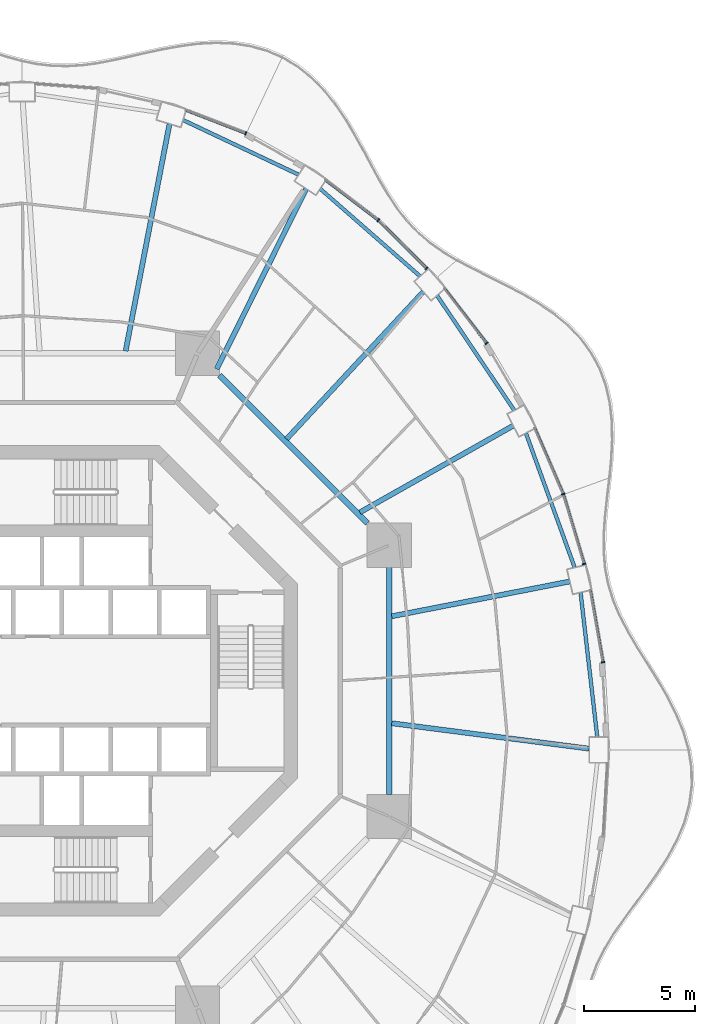
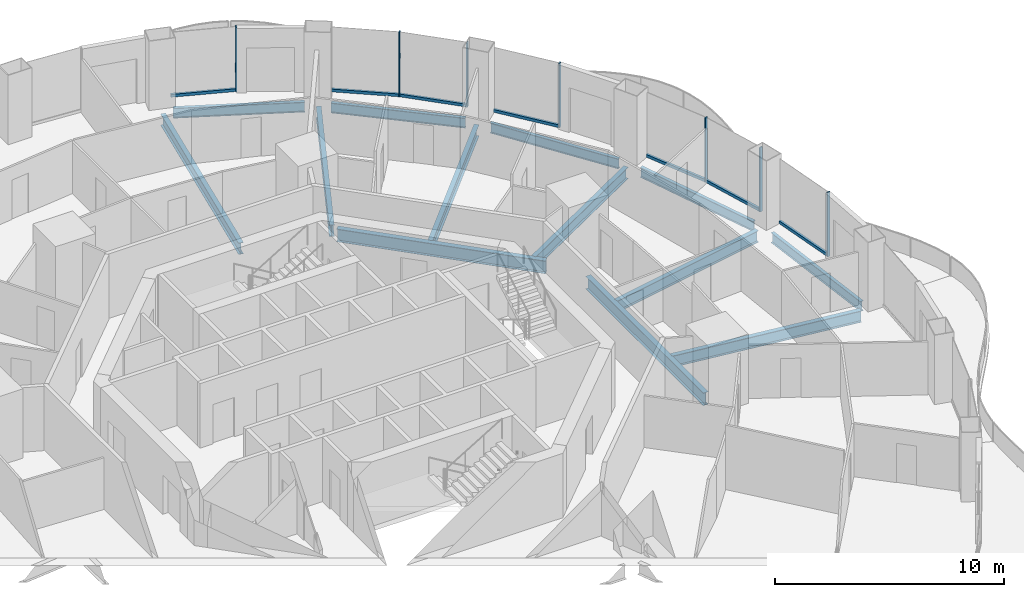
# One storey, part 8 of 19: 14 members, 13 beams, 7 elements without a shape of their own.
"""IFC4 building model written with IfcOpenShell, lengths in metres."""

from ifc_helpers import new_model, si_unit, direction, frame, origin, origin_2d, place, context, subcontext, project, spatial, rectangle, i_section, extrude, material, layer, layer_set, material_profile, profile_set, type_object, element, aggregate, save


model = new_model("IFC4")

# Units and contexts
model_context = context("Model", 3, precision=1e-05, world=origin(), true_north=direction((0.0, 1.0)))
body_context = subcontext(model_context, "Body", "Model", "MODEL_VIEW")
ifc_project = project(units=[si_unit("LENGTHUNIT", "METRE"), si_unit("AREAUNIT", "SQUARE_METRE"), si_unit("VOLUMEUNIT", "CUBIC_METRE"), si_unit("PLANEANGLEUNIT", "RADIAN"), si_unit("MASSUNIT", "GRAM", prefix="KILO")], contexts=[model_context])

# Site, building, storey
site_placement = place(None, origin())
site = spatial("IfcSite", under=ifc_project, at=site_placement, CompositionType="ELEMENT")
building_placement = place(site_placement, origin())
building = spatial("IfcBuilding", under=site, at=building_placement, Name="Nagisa Residences", CompositionType="ELEMENT")
storey_placement = place(building_placement, frame((0.0, 0.0, 127.0)))
storey = spatial("IfcBuildingStorey", under=building, at=storey_placement, Name="L31", CompositionType="ELEMENT", Elevation=127.0)

# Curtain wall, member
ifc_material_1 = material(Name="Concrete-coloured aluminium curtain wall system", Category="concrete")
ifc_layer = layer(ifc_material_1, 0.159912109375)
ifc_layer_set = layer_set([ifc_layer], Name="CW1 CURTAIN WALL")
curtain_wall_type = type_object("IfcCurtainWallType", Name="CW1 CURTAIN WALL", PredefinedType="NOTDEFINED", material=ifc_layer_set)
curtain_wall_1_placement = place(storey_placement, origin())
curtain_wall_1 = element("IfcCurtainWall", 1, at=curtain_wall_1_placement, inside=storey, type_object=curtain_wall_type, Name="cw:CW1:L31:01", PredefinedType="NOTDEFINED")
ifc_material_2 = material(Name="Concrete-coloured aluminium", Category="concrete")
ifc_material_profile_1 = material_profile(ifc_material_2, rectangle(XDim=0.159912109375, YDim=0.06005859375, at=origin_2d()), Name="CW1 MULLION 160x60")
ifc_profile_set_1 = profile_set([ifc_material_profile_1], Name="Concrete-coloured aluminium")
member_type_1 = type_object("IfcMemberType", Name="CW1 MULLION 160x60", PredefinedType="MULLION", material=ifc_profile_set_1)
member_1_placement = place(storey_placement, frame((24.424072265625, 0.83935546875, 0.0), z_axis=(0.0, 0.0, 1.0), x_axis=(-0.985063604377, -0.172190868898, 0.0)))
member_1 = element("IfcMember", 2, at=member_1_placement, type_object=member_type_1, Name="CW1 mullion", PredefinedType="MULLION", context=body_context, shape_type="SweptSolid", body=[
    extrude(rectangle(XDim=0.159912109375, YDim=0.06005859375, at=origin_2d()), origin(), (0.0, 0.0, 1.0), 3.43994140625),
])

curtain_wall_2_placement = place(storey_placement, origin())
curtain_wall_2 = element("IfcCurtainWall", 3, at=curtain_wall_2_placement, inside=storey, type_object=curtain_wall_type, Name="cw:CW1:L31:02", PredefinedType="NOTDEFINED")
member_2_placement = place(storey_placement, frame((23.573974609375, 5.278076171875, 0.0), z_axis=(0.0, 0.0, 1.0), x_axis=(-0.958271310082, -0.285860274038, 0.0)))
member_2 = element("IfcMember", 4, at=member_2_placement, type_object=member_type_1, Name="CW1 mullion", PredefinedType="MULLION", context=body_context, shape_type="SweptSolid", body=[
    extrude(rectangle(XDim=0.159912109375, YDim=0.06005859375, at=origin_2d()), origin(), (0.0, 0.0, 1.0), 3.43994140625),
])

curtain_wall_3_placement = place(storey_placement, origin())
curtain_wall_3 = element("IfcCurtainWall", 5, at=curtain_wall_3_placement, inside=storey, type_object=curtain_wall_type, Name="cw:CW1:L31:03", PredefinedType="NOTDEFINED")
member_3_placement = place(storey_placement, frame((22.6298828125, 8.43310546875, 0.0), z_axis=(0.0, 0.0, 1.0), x_axis=(-0.917543276295, -0.397635934147, 0.0)))
member_3 = element("IfcMember", 6, at=member_3_placement, type_object=member_type_1, Name="CW1 mullion", PredefinedType="MULLION", context=body_context, shape_type="SweptSolid", body=[
    extrude(rectangle(XDim=0.159912109375, YDim=0.06005859375, at=origin_2d()), origin(), (0.0, 0.0, 1.0), 3.43994140625),
])

curtain_wall_4_placement = place(storey_placement, origin())
curtain_wall_4 = element("IfcCurtainWall", 7, at=curtain_wall_4_placement, inside=storey, type_object=curtain_wall_type, Name="cw:CW1:L31:05", PredefinedType="NOTDEFINED")
member_4_placement = place(storey_placement, frame((19.169921875, 15.23876953125, 0.0), z_axis=(0.0, 0.0, 1.0), x_axis=(-0.792070340816, -0.610429828235, 0.0)))
member_4 = element("IfcMember", 8, at=member_4_placement, type_object=member_type_1, Name="CW1 mullion", PredefinedType="MULLION", context=body_context, shape_type="SweptSolid", body=[
    extrude(rectangle(XDim=0.159912109375, YDim=0.06005859375, at=origin_2d()), origin(), (0.0, 0.0, 1.0), 3.43994140625),
])

curtain_wall_5_placement = place(storey_placement, origin())
curtain_wall_5 = element("IfcCurtainWall", 9, at=curtain_wall_5_placement, inside=storey, type_object=curtain_wall_type, Name="cw:CW1:L31:06", PredefinedType="NOTDEFINED")
member_5_placement = place(storey_placement, frame((16.460693359375, 18.621826171875, 0.0), z_axis=(0.0, 0.0, 1.0), x_axis=(-0.706376885714, -0.707835924016, 0.0)))
member_5 = element("IfcMember", 10, at=member_5_placement, type_object=member_type_1, Name="CW1 mullion", PredefinedType="MULLION", context=body_context, shape_type="SweptSolid", body=[
    extrude(rectangle(XDim=0.159912109375, YDim=0.06005859375, at=origin_2d()), origin(), (0.0, 0.0, 1.0), 3.43994140625),
])

curtain_wall_6_placement = place(storey_placement, origin())
curtain_wall_6 = element("IfcCurtainWall", 11, at=curtain_wall_6_placement, inside=storey, type_object=curtain_wall_type, Name="cw:CW1:L31:07", PredefinedType="NOTDEFINED")
member_6_placement = place(storey_placement, frame((14.28125, 20.7919921875, 0.0), z_axis=(0.0, 0.0, 1.0), x_axis=(-0.605255421737, -0.79603132756, 0.0)))
member_6 = element("IfcMember", 12, at=member_6_placement, type_object=member_type_1, Name="CW1 mullion", PredefinedType="MULLION", context=body_context, shape_type="SweptSolid", body=[
    extrude(rectangle(XDim=0.159912109375, YDim=0.06005859375, at=origin_2d()), origin(), (0.0, 0.0, 1.0), 3.43994140625),
])

curtain_wall_7_placement = place(storey_placement, origin())
curtain_wall_7 = element("IfcCurtainWall", 13, at=curtain_wall_7_placement, inside=storey, type_object=curtain_wall_type, Name="cw:CW1:L31:09", PredefinedType="NOTDEFINED")
member_7_placement = place(storey_placement, frame((8.297607421875, 24.715087890625, 0.0), z_axis=(0.0, 0.0, 1.0), x_axis=(-0.360327770268, -0.932825759707, 0.0)))
member_7 = element("IfcMember", 14, at=member_7_placement, type_object=member_type_1, Name="CW1 mullion", PredefinedType="MULLION", context=body_context, shape_type="SweptSolid", body=[
    extrude(rectangle(XDim=0.159912109375, YDim=0.06005859375, at=origin_2d()), origin(), (0.0, 0.0, 1.0), 3.43994140625),
])

# Member
ifc_material_3 = material(Name="Concrete-coloured aluminium", Category="concrete")
ifc_material_profile_2 = material_profile(ifc_material_3, rectangle(XDim=0.1201171875, YDim=0.14990234375, at=origin_2d()), Name="CW1 TRANSOM 120x150")
ifc_profile_set_2 = profile_set([ifc_material_profile_2], Name="Concrete-coloured aluminium")
member_type_2 = type_object("IfcMemberType", Name="CW1 TRANSOM 120x150", PredefinedType="USERDEFINED", material=ifc_profile_set_2)
member_8_placement = place(storey_placement, frame((24.42919921875, 0.809814453125, 0.074951171875), z_axis=(-0.172163521006, 0.985068384446, 0.0), x_axis=(-0.985068384446, -0.172163521006, 0.0)))
member_8 = element("IfcMember", 15, at=member_8_placement, type_object=member_type_2, Name="CW1 transom", ObjectType="TRANSOM", PredefinedType="USERDEFINED", context=body_context, shape_type="SweptSolid", body=[
    extrude(rectangle(XDim=0.1201171875, YDim=0.14990234375, at=origin_2d()), origin(), (0.0, 0.0, 1.0), 3.33251953125),
])

aggregate(curtain_wall_1, [member_1, member_8])

member_9_placement = place(storey_placement, frame((23.582763671875, 5.24951171875, 0.074951171875), z_axis=(-0.285909915381, 0.958256500258, 0.0), x_axis=(-0.958256500258, -0.285909915381, 0.0)))
member_9 = element("IfcMember", 16, at=member_9_placement, type_object=member_type_2, Name="CW1 transom", ObjectType="TRANSOM", PredefinedType="USERDEFINED", context=body_context, shape_type="SweptSolid", body=[
    extrude(rectangle(XDim=0.1201171875, YDim=0.14990234375, at=origin_2d()), origin(), (0.0, 0.0, 1.0), 3.302978515625),
])

aggregate(curtain_wall_2, [member_2, member_9])

member_10_placement = place(storey_placement, frame((22.641845703125, 8.405517578125, 0.074951171875), z_axis=(-0.397638954585, 0.917541967321, 0.0), x_axis=(-0.917541967321, -0.397638954585, 0.0)))
member_10 = element("IfcMember", 17, at=member_10_placement, type_object=member_type_2, Name="CW1 transom", ObjectType="TRANSOM", PredefinedType="USERDEFINED", context=body_context, shape_type="SweptSolid", body=[
    extrude(rectangle(XDim=0.1201171875, YDim=0.14990234375, at=origin_2d()), origin(), (0.0, 0.0, 1.0), 3.2607421875),
])

aggregate(curtain_wall_3, [member_3, member_10])

member_11_placement = place(storey_placement, frame((19.188232421875, 15.215087890625, 0.074951171875), z_axis=(-0.610467332273, 0.792041435928, 0.0), x_axis=(-0.792041435928, -0.610467332273, 0.0)))
member_11 = element("IfcMember", 18, at=member_11_placement, type_object=member_type_2, Name="CW1 transom", ObjectType="TRANSOM", PredefinedType="USERDEFINED", context=body_context, shape_type="SweptSolid", body=[
    extrude(rectangle(XDim=0.1201171875, YDim=0.14990234375, at=origin_2d()), origin(), (0.0, 0.0, 1.0), 3.14892578125),
])

aggregate(curtain_wall_4, [member_4, member_11])

member_12_placement = place(storey_placement, frame((16.48193359375, 18.6005859375, 0.074951171875), z_axis=(-0.707857739375, 0.706355024621, 0.0), x_axis=(-0.706355024621, -0.707857739375, 0.0)))
member_12 = element("IfcMember", 19, at=member_12_placement, type_object=member_type_2, Name="CW1 transom", ObjectType="TRANSOM", PredefinedType="USERDEFINED", context=body_context, shape_type="SweptSolid", body=[
    extrude(rectangle(XDim=0.1201171875, YDim=0.14990234375, at=origin_2d()), origin(), (0.0, 0.0, 1.0), 3.0869140625),
])

aggregate(curtain_wall_5, [member_5, member_12])

member_13_placement = place(storey_placement, frame((14.30517578125, 20.77392578125, 0.074951171875), z_axis=(-0.796022231079, 0.605267385233, 0.0), x_axis=(-0.605267385233, -0.796022231079, 0.0)))
member_13 = element("IfcMember", 20, at=member_13_placement, type_object=member_type_2, Name="CW1 transom", ObjectType="TRANSOM", PredefinedType="USERDEFINED", context=body_context, shape_type="SweptSolid", body=[
    extrude(rectangle(XDim=0.1201171875, YDim=0.14990234375, at=origin_2d()), origin(), (0.0, 0.0, 1.0), 3.025634765625),
])

aggregate(curtain_wall_6, [member_6, member_13])

member_14_placement = place(storey_placement, frame((8.32568359375, 24.704345703125, 0.074951171875), z_axis=(-0.932845344347, 0.360277064952, 0.0), x_axis=(-0.360277064952, -0.932845344347, 0.0)))
member_14 = element("IfcMember", 21, at=member_14_placement, type_object=member_type_2, Name="CW1 transom", ObjectType="TRANSOM", PredefinedType="USERDEFINED", context=body_context, shape_type="SweptSolid", body=[
    extrude(rectangle(XDim=0.1201171875, YDim=0.14990234375, at=origin_2d()), origin(), (0.0, 0.0, 1.0), 2.92333984375),
])

aggregate(curtain_wall_7, [member_7, member_14])

# Beams
ifc_material_4 = material(Name="Steel ASTM A572 Gr 50", Category="steel")
ifc_material_profile_3 = material_profile(ifc_material_4, i_section(OverallWidth=0.25390625, OverallDepth=0.68408203125, WebThickness=0.012451171875, FlangeThickness=0.018798828125, at=origin_2d()), Name="W690x140")
ifc_profile_set_3 = profile_set([ifc_material_profile_3], Name="Steel ASTM A572 Gr 50")
beam_type_1 = type_object("IfcBeamType", Name="Inner ring beam W690x140", PredefinedType="BEAM", material=ifc_profile_set_3)
beam_1_placement = place(storey_placement, frame((13.796142578125, 7.10888671875, -0.60205078125), z_axis=(-0.707106781187, 0.707106781187, 0.0), x_axis=(-0.707106781187, -0.707106781187, 0.0)))
element("IfcBeam", 22, at=beam_1_placement, inside=storey, type_object=beam_type_1, Name="beam:L31:ib1", PredefinedType="BEAM", context=body_context, shape_type="SweptSolid", body=[
    extrude(i_section(OverallWidth=0.25390625, OverallDepth=0.68408203125, WebThickness=0.012451171875, FlangeThickness=0.018798828125, at=origin_2d()), origin(), (0.0, 0.0, 1.0), 9.457275390625),
])
beam_2_placement = place(storey_placement, frame((14.781982421875, -5.142822265625, -0.60205078125), z_axis=(0.0, 1.0, 0.0), x_axis=(-1.0, 0.0, 0.0)))
element("IfcBeam", 23, at=beam_2_placement, inside=storey, type_object=beam_type_1, Name="beam:L31:ib8", PredefinedType="BEAM", context=body_context, shape_type="SweptSolid", body=[
    extrude(i_section(OverallWidth=0.25390625, OverallDepth=0.68408203125, WebThickness=0.012451171875, FlangeThickness=0.018798828125, at=origin_2d()), origin(), (0.0, 0.0, 1.0), 10.28564453125),
])
ifc_material_5 = material(Name="Steel ASTM A572 Gr 50", Category="steel")
ifc_material_profile_4 = material_profile(ifc_material_5, i_section(OverallWidth=0.166015625, OverallDepth=0.534912109375, WebThickness=0.01025390625, FlangeThickness=0.0166015625, at=origin_2d()), Name="W530x85")
ifc_profile_set_4 = profile_set([ifc_material_profile_4], Name="Steel ASTM A572 Gr 50")
beam_type_2 = type_object("IfcBeamType", Name="Perimeter ring beam W530x85", PredefinedType="BEAM", material=ifc_profile_set_4)
beam_3_placement = place(storey_placement, frame((24.16796875, -2.53759765625, -0.527587890625), z_axis=(-0.114660786771, 0.993404703017, 0.0), x_axis=(-0.993404703017, -0.114660786771, 0.0)))
element("IfcBeam", 24, at=beam_3_placement, inside=storey, type_object=beam_type_2, Name="beam:L31:pb01", PredefinedType="BEAM", context=body_context, shape_type="SweptSolid", body=[
    extrude(i_section(OverallWidth=0.166015625, OverallDepth=0.534912109375, WebThickness=0.01025390625, FlangeThickness=0.0166015625, at=origin_2d()), origin(), (0.0, 0.0, 1.0), 6.568603515625),
])
beam_4_placement = place(storey_placement, frame((23.1484375, 5.116943359375, -0.527587890625), z_axis=(-0.341332802315, 0.93994250785, 0.0), x_axis=(-0.93994250785, -0.341332802315, 0.0)))
element("IfcBeam", 25, at=beam_4_placement, inside=storey, type_object=beam_type_2, Name="beam:L31:pb02", PredefinedType="BEAM", context=body_context, shape_type="SweptSolid", body=[
    extrude(i_section(OverallWidth=0.166015625, OverallDepth=0.534912109375, WebThickness=0.01025390625, FlangeThickness=0.0166015625, at=origin_2d()), origin(), (0.0, 0.0, 1.0), 6.450927734375),
])
beam_5_placement = place(storey_placement, frame((20.420654296875, 12.21484375, -0.527587890625), z_axis=(-0.558187951157, 0.82971453596, 0.0), x_axis=(-0.82971453596, -0.558187951157, 0.0)))
element("IfcBeam", 26, at=beam_5_placement, inside=storey, type_object=beam_type_2, Name="beam:L31:pb03", PredefinedType="BEAM", context=body_context, shape_type="SweptSolid", body=[
    extrude(i_section(OverallWidth=0.166015625, OverallDepth=0.534912109375, WebThickness=0.01025390625, FlangeThickness=0.0166015625, at=origin_2d()), origin(), (0.0, 0.0, 1.0), 6.24267578125),
])
beam_6_placement = place(storey_placement, frame((16.169189453125, 18.26513671875, -0.527587890625), z_axis=(-0.752503526528, 0.658588219272, 0.0), x_axis=(-0.658588219272, -0.752503526528, 0.0)))
element("IfcBeam", 27, at=beam_6_placement, inside=storey, type_object=beam_type_2, Name="beam:L31:pb04", PredefinedType="BEAM", context=body_context, shape_type="SweptSolid", body=[
    extrude(i_section(OverallWidth=0.166015625, OverallDepth=0.534912109375, WebThickness=0.01025390625, FlangeThickness=0.0166015625, at=origin_2d()), origin(), (0.0, 0.0, 1.0), 5.99462890625),
])
beam_7_placement = place(storey_placement, frame((10.687744140625, 22.84912109375, -0.527587890625), z_axis=(-0.904169699539, 0.427173447719, 0.0), x_axis=(-0.427173447719, -0.904169699539, 0.0)))
element("IfcBeam", 28, at=beam_7_placement, inside=storey, type_object=beam_type_2, Name="beam:L31:pb05", PredefinedType="BEAM", context=body_context, shape_type="SweptSolid", body=[
    extrude(i_section(OverallWidth=0.166015625, OverallDepth=0.534912109375, WebThickness=0.01025390625, FlangeThickness=0.0166015625, at=origin_2d()), origin(), (0.0, 0.0, 1.0), 5.7724609375),
])
ifc_material_6 = material(Name="Steel ASTM A572 Gr 50", Category="steel")
ifc_material_profile_5 = material_profile(ifc_material_6, i_section(OverallWidth=0.22900390625, OverallDepth=0.612060546875, WebThickness=0.011962890625, FlangeThickness=0.01953125, at=origin_2d()), Name="W610x125")
ifc_profile_set_5 = profile_set([ifc_material_profile_5], Name="Steel ASTM A572 Gr 50")
beam_type_3 = type_object("IfcBeamType", Name="Radial beam W610x125", PredefinedType="BEAM", material=ifc_profile_set_5)
beam_8_placement = place(storey_placement, frame((23.804931640625, -3.062255859375, -0.56591796875), z_axis=(-0.991829934558, 0.127567162371, 0.0), x_axis=(-0.127567162371, -0.991829934558, 0.0)))
element("IfcBeam", 29, at=beam_8_placement, inside=storey, type_object=beam_type_3, Name="beam:L31:rb01", PredefinedType="BEAM", context=body_context, shape_type="SweptSolid", body=[
    extrude(i_section(OverallWidth=0.22900390625, OverallDepth=0.612060546875, WebThickness=0.011962890625, FlangeThickness=0.01953125, at=origin_2d()), origin(), (0.0, 0.0, 1.0), 8.9892578125),
])
beam_9_placement = place(storey_placement, frame((22.925537109375, 4.4853515625, -0.56591796875), z_axis=(-0.981393143406, -0.192009109355, 0.0), x_axis=(0.192009109355, -0.981393143406, 0.0)))
element("IfcBeam", 30, at=beam_9_placement, inside=storey, type_object=beam_type_3, Name="beam:L31:rb02", PredefinedType="BEAM", context=body_context, shape_type="SweptSolid", body=[
    extrude(i_section(OverallWidth=0.22900390625, OverallDepth=0.612060546875, WebThickness=0.011962890625, FlangeThickness=0.01953125, at=origin_2d()), origin(), (0.0, 0.0, 1.0), 8.1884765625),
])
beam_10_placement = place(storey_placement, frame((20.372314453125, 11.51806640625, -0.56591796875), z_axis=(-0.870505636565, -0.492158446751, 0.0), x_axis=(0.492158446751, -0.870505636565, 0.0)))
element("IfcBeam", 31, at=beam_10_placement, inside=storey, type_object=beam_type_3, Name="beam:L31:rb03", PredefinedType="BEAM", context=body_context, shape_type="SweptSolid", body=[
    extrude(i_section(OverallWidth=0.22900390625, OverallDepth=0.612060546875, WebThickness=0.011962890625, FlangeThickness=0.01953125, at=origin_2d()), origin(), (0.0, 0.0, 1.0), 7.949951171875),
])
beam_11_placement = place(storey_placement, frame((16.315185546875, 17.56298828125, -0.56591796875), z_axis=(-0.680605908425, -0.7326497099, 0.0), x_axis=(0.7326497099, -0.680605908425, 0.0)))
element("IfcBeam", 32, at=beam_11_placement, inside=storey, type_object=beam_type_3, Name="beam:L31:rb04", PredefinedType="BEAM", context=body_context, shape_type="SweptSolid", body=[
    extrude(i_section(OverallWidth=0.22900390625, OverallDepth=0.612060546875, WebThickness=0.011962890625, FlangeThickness=0.01953125, at=origin_2d()), origin(), (0.0, 0.0, 1.0), 9.072509765625),
])
beam_12_placement = place(storey_placement, frame((11.02490234375, 22.2109375, -0.56591796875), z_axis=(-0.444599872799, -0.895729285614, 0.0), x_axis=(0.895729285614, -0.444599872799, 0.0)))
element("IfcBeam", 33, at=beam_12_placement, inside=storey, type_object=beam_type_3, Name="beam:L31:rb05", PredefinedType="BEAM", context=body_context, shape_type="SweptSolid", body=[
    extrude(i_section(OverallWidth=0.22900390625, OverallDepth=0.612060546875, WebThickness=0.011962890625, FlangeThickness=0.01953125, at=origin_2d()), origin(), (0.0, 0.0, 1.0), 9.085693359375),
])
beam_13_placement = place(storey_placement, frame((4.8564453125, 25.140869140625, -0.56591796875), z_axis=(-0.189659094365, -0.981850002762, 0.0), x_axis=(0.981850002762, -0.189659094365, 0.0)))
element("IfcBeam", 34, at=beam_13_placement, inside=storey, type_object=beam_type_3, Name="beam:L31:rb06", PredefinedType="BEAM", context=body_context, shape_type="SweptSolid", body=[
    extrude(i_section(OverallWidth=0.22900390625, OverallDepth=0.612060546875, WebThickness=0.011962890625, FlangeThickness=0.01953125, at=origin_2d()), origin(), (0.0, 0.0, 1.0), 10.44091796875),
])

save(model, "model.ifc")
